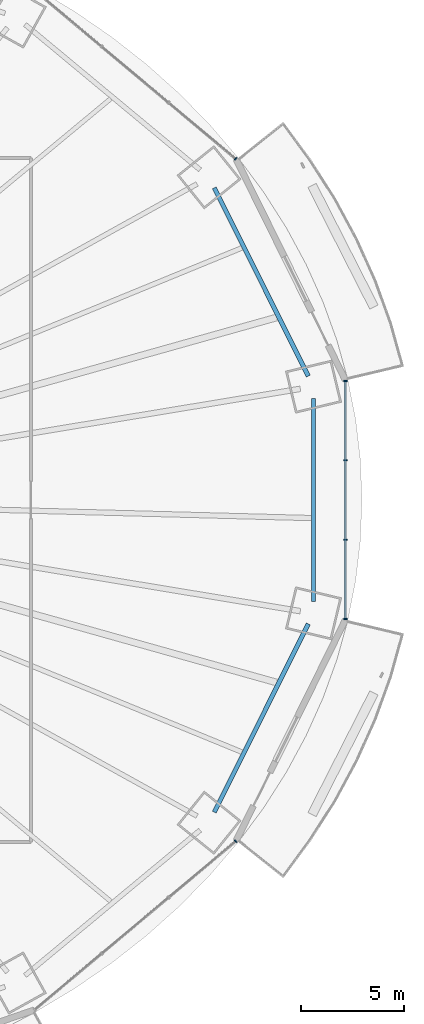
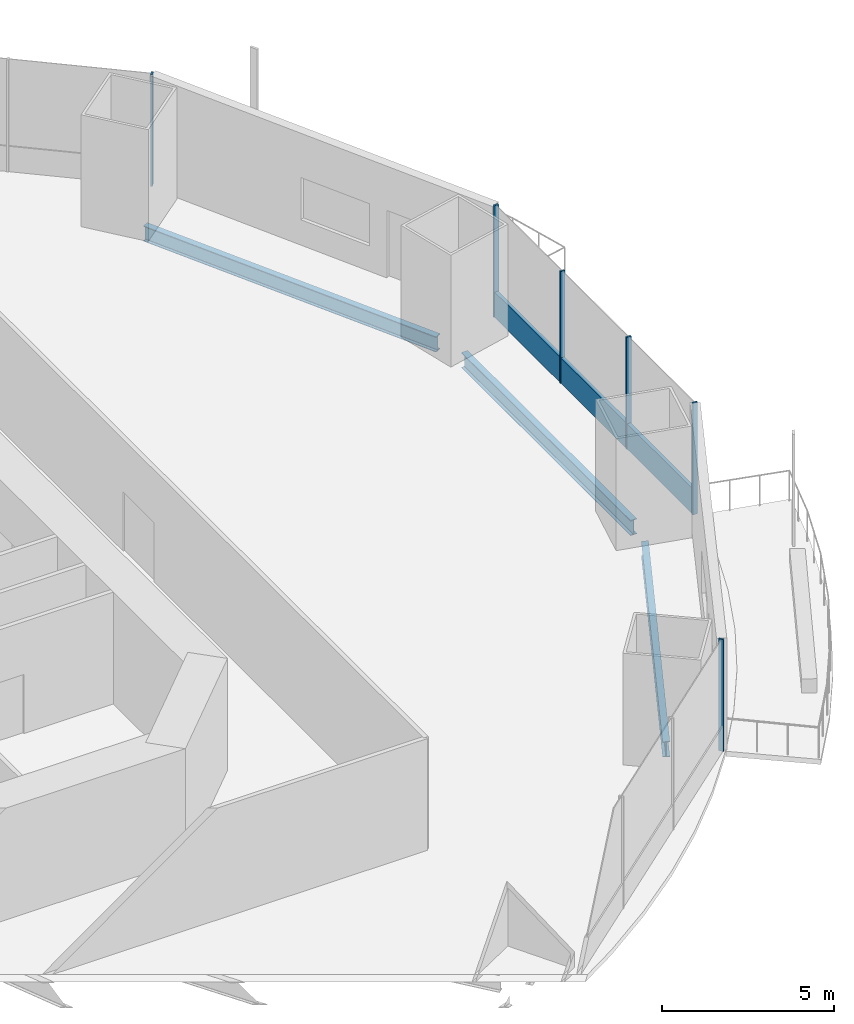
# One storey, part 11 of 22: 7 members, 3 beams, 3 elements without a shape of their own.
"""IFC4 building model written with IfcOpenShell, lengths in metres."""

from ifc_helpers import new_model, si_unit, direction, frame, origin, origin_2d, place, context, subcontext, project, spatial, rectangle, i_section, extrude, material, material_profile, profile_set, type_object, element, aggregate, save


model = new_model("IFC4")

# Units and contexts
model_context = context("Model", 3, precision=1e-05, world=origin(), true_north=direction((0.0, 1.0)))
body_context = subcontext(model_context, "Body", "Model", "MODEL_VIEW")
ifc_project = project(units=[si_unit("LENGTHUNIT", "METRE"), si_unit("AREAUNIT", "SQUARE_METRE"), si_unit("VOLUMEUNIT", "CUBIC_METRE"), si_unit("PLANEANGLEUNIT", "RADIAN"), si_unit("MASSUNIT", "GRAM", prefix="KILO")], contexts=[model_context])

# Site, building, storey
site_placement = place(None, origin())
site = spatial("IfcSite", under=ifc_project, at=site_placement, CompositionType="ELEMENT")
building_placement = place(site_placement, origin())
building = spatial("IfcBuilding", under=site, at=building_placement, Name="Marenthal Gate Tower", CompositionType="ELEMENT")
storey_placement = place(building_placement, frame((0.0, 0.0, 78.64990234375)))
storey = spatial("IfcBuildingStorey", under=building, at=storey_placement, Name="L15", CompositionType="ELEMENT", Elevation=78.64990234375)

# Curtain wall, member
ifc_material_1 = material(Name="Aluminium and glass", Category="aluminium")
curtain_wall_type = type_object("IfcCurtainWallType", Name="Curtain wall typical low", PredefinedType="NOTDEFINED", material=ifc_material_1)
curtain_wall_1_placement = place(storey_placement, origin())
curtain_wall_1 = element("IfcCurtainWall", 1, at=curtain_wall_1_placement, inside=storey, type_object=curtain_wall_type, Name="Curtain wall L15 bay 2", PredefinedType="NOTDEFINED")
ifc_material_2 = material(Name="Aluminium", Category="aluminium")
ifc_material_profile_1 = material_profile(ifc_material_2, rectangle(XDim=0.159912109375, YDim=0.06005859375, at=origin_2d()), Name="60x160 aluminium mullion")
ifc_profile_set_1 = profile_set([ifc_material_profile_1], Name="Aluminium")
member_type_1 = type_object("IfcMemberType", Name="Mullion 60x160 typical low", PredefinedType="MULLION", material=ifc_profile_set_1)
member_1_placement = place(storey_placement, frame((29.5380859375, 16.56640625, 0.0), z_axis=(0.0, 0.0, 1.0), x_axis=(-0.642176178992, -0.76655707885, 0.0)))
member_1 = element("IfcMember", 2, at=member_1_placement, type_object=member_type_1, Name="Mullion L15 bay 2.1", PredefinedType="MULLION", context=body_context, shape_type="SweptSolid", body=[
    extrude(rectangle(XDim=0.159912109375, YDim=0.06005859375, at=origin_2d()), origin(), (0.0, 0.0, 1.0), 3.97021484375),
])
aggregate(curtain_wall_1, [member_1])

curtain_wall_2_placement = place(storey_placement, origin())
curtain_wall_2 = element("IfcCurtainWall", 3, at=curtain_wall_2_placement, inside=storey, type_object=curtain_wall_type, Name="Curtain wall L15 bay 14", PredefinedType="NOTDEFINED")
member_2_placement = place(storey_placement, frame((29.538330078125, -16.56640625, 0.0), z_axis=(0.0, 0.0, 1.0), x_axis=(-0.642176178992, 0.76655707885, 0.0)))
member_2 = element("IfcMember", 4, at=member_2_placement, type_object=member_type_1, Name="Mullion L15 bay 14.4", PredefinedType="MULLION", context=body_context, shape_type="SweptSolid", body=[
    extrude(rectangle(XDim=0.159912109375, YDim=0.06005859375, at=origin_2d()), origin(), (0.0, 0.0, 1.0), 3.97021484375),
])
aggregate(curtain_wall_2, [member_2])

# Curtain wall, members
curtain_wall_3_placement = place(storey_placement, origin())
curtain_wall_3 = element("IfcCurtainWall", 5, at=curtain_wall_3_placement, inside=storey, type_object=curtain_wall_type, Name="Curtain wall L15 bay 16", PredefinedType="NOTDEFINED")
member_3_placement = place(storey_placement, frame((34.869873046875, -5.780517578125, 0.0), z_axis=(0.0, 0.0, 1.0), x_axis=(-1.0, 0.0, 0.0)))
member_3 = element("IfcMember", 6, at=member_3_placement, type_object=member_type_1, Name="Mullion L15 bay 16.1", PredefinedType="MULLION", context=body_context, shape_type="SweptSolid", body=[
    extrude(rectangle(XDim=0.159912109375, YDim=0.06005859375, at=origin_2d()), origin(), (0.0, 0.0, 1.0), 3.97021484375),
])
member_4_placement = place(storey_placement, frame((34.869873046875, -1.927001953125, 0.0), z_axis=(0.0, 0.0, 1.0), x_axis=(-1.0, 0.0, 0.0)))
member_4 = element("IfcMember", 7, at=member_4_placement, type_object=member_type_1, Name="Mullion L15 bay 16.2", PredefinedType="MULLION", context=body_context, shape_type="SweptSolid", body=[
    extrude(rectangle(XDim=0.159912109375, YDim=0.06005859375, at=origin_2d()), origin(), (0.0, 0.0, 1.0), 3.97021484375),
])
member_5_placement = place(storey_placement, frame((34.869873046875, 1.927001953125, 0.0), z_axis=(0.0, 0.0, 1.0), x_axis=(-1.0, 0.0, 0.0)))
member_5 = element("IfcMember", 8, at=member_5_placement, type_object=member_type_1, Name="Mullion L15 bay 16.3", PredefinedType="MULLION", context=body_context, shape_type="SweptSolid", body=[
    extrude(rectangle(XDim=0.159912109375, YDim=0.06005859375, at=origin_2d()), origin(), (0.0, 0.0, 1.0), 3.97021484375),
])
member_6_placement = place(storey_placement, frame((34.869873046875, 5.780517578125, 0.0), z_axis=(0.0, 0.0, 1.0), x_axis=(-1.0, 0.0, 0.0)))
member_6 = element("IfcMember", 9, at=member_6_placement, type_object=member_type_1, Name="Mullion L15 bay 16.4", PredefinedType="MULLION", context=body_context, shape_type="SweptSolid", body=[
    extrude(rectangle(XDim=0.159912109375, YDim=0.06005859375, at=origin_2d()), origin(), (0.0, 0.0, 1.0), 3.97021484375),
])
ifc_material_3 = material(Name="Aluminium", Category="aluminium")
ifc_material_profile_2 = material_profile(ifc_material_3, rectangle(XDim=0.1201171875, YDim=0.89990234375, at=origin_2d()), Name="120x900 aluminium transom")
ifc_profile_set_2 = profile_set([ifc_material_profile_2], Name="Aluminium")
member_type_2 = type_object("IfcMemberType", Name="Transom 120x900 typical low", PredefinedType="USERDEFINED", material=ifc_profile_set_2)
member_7_placement = place(storey_placement, frame((34.869873046875, -5.75048828125, 0.4501953125), z_axis=(0.0, 1.0, 0.0), x_axis=(-1.0, 0.0, 0.0)))
member_7 = element("IfcMember", 10, at=member_7_placement, type_object=member_type_2, Name="Transom L15 bay 16", ObjectType="TRANSOM", PredefinedType="USERDEFINED", context=body_context, shape_type="SweptSolid", body=[
    extrude(rectangle(XDim=0.1201171875, YDim=0.89990234375, at=origin_2d()), origin(), (0.0, 0.0, 1.0), 11.5009765625),
])
aggregate(curtain_wall_3, [member_3, member_4, member_5, member_6, member_7])

# Beams
ifc_material_4 = material(Name="Steel S355", Category="steel")
ifc_material_profile_3 = material_profile(ifc_material_4, i_section(OverallWidth=0.2119140625, OverallDepth=0.5439453125, WebThickness=0.01318359375, FlangeThickness=0.021240234375, FilletRadius=0.0126953125, at=origin_2d()), Name="W530X123")
ifc_profile_set_3 = profile_set([ifc_material_profile_3], Name="Steel S355")
beam_type = type_object("IfcBeamType", Name="W530X123 beam", PredefinedType="BEAM", material=ifc_profile_set_3)
for number, where, z_axis, x_axis, name in (
    (11, (33.062255859375, 6.019287109375, -0.451904296875), (-0.446448228661, 0.894809465264, 0.0), (-0.894809465264, -0.446448228661, 0.0), "BM-L15-41"),
    (12, (28.504150390625, -15.155029296875, -0.451904296875), (0.446448228661, 0.894809465264, 0.0), (-0.894809465264, 0.446448228661, 0.0), "BM-L15-55"),
):
    element("IfcBeam", number, at=place(storey_placement, frame(where, z_axis=z_axis, x_axis=x_axis)), inside=storey, type_object=beam_type, Name=name, PredefinedType="BEAM", context=body_context, shape_type="SweptSolid", body=[
        extrude(i_section(OverallWidth=0.2119140625, OverallDepth=0.5439453125, WebThickness=0.01318359375, FlangeThickness=0.021240234375, FilletRadius=0.0126953125, at=origin_2d()), origin(), (0.0, 0.0, 1.0), 10.209716796875),
    ])
beam_placement = place(storey_placement, frame((33.3203125, -4.922607421875, -0.451904296875), z_axis=(0.0, 1.0, 0.0), x_axis=(-1.0, 0.0, 0.0)))
element("IfcBeam", 13, at=beam_placement, inside=storey, type_object=beam_type, Name="BM-L15-56", PredefinedType="BEAM", context=body_context, shape_type="SweptSolid", body=[
    extrude(i_section(OverallWidth=0.2119140625, OverallDepth=0.5439453125, WebThickness=0.01318359375, FlangeThickness=0.021240234375, FilletRadius=0.0126953125, at=origin_2d()), origin(), (0.0, 0.0, 1.0), 9.84521484375),
])

save(model, "model.ifc")
